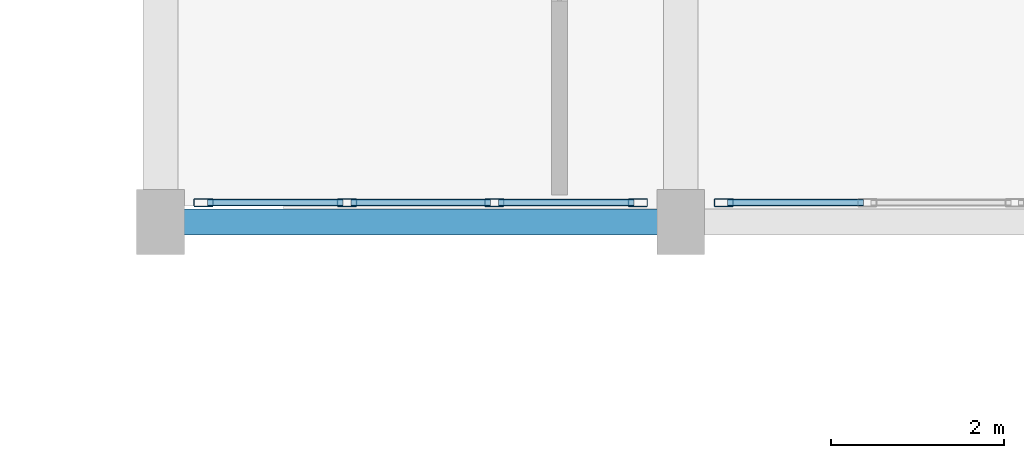
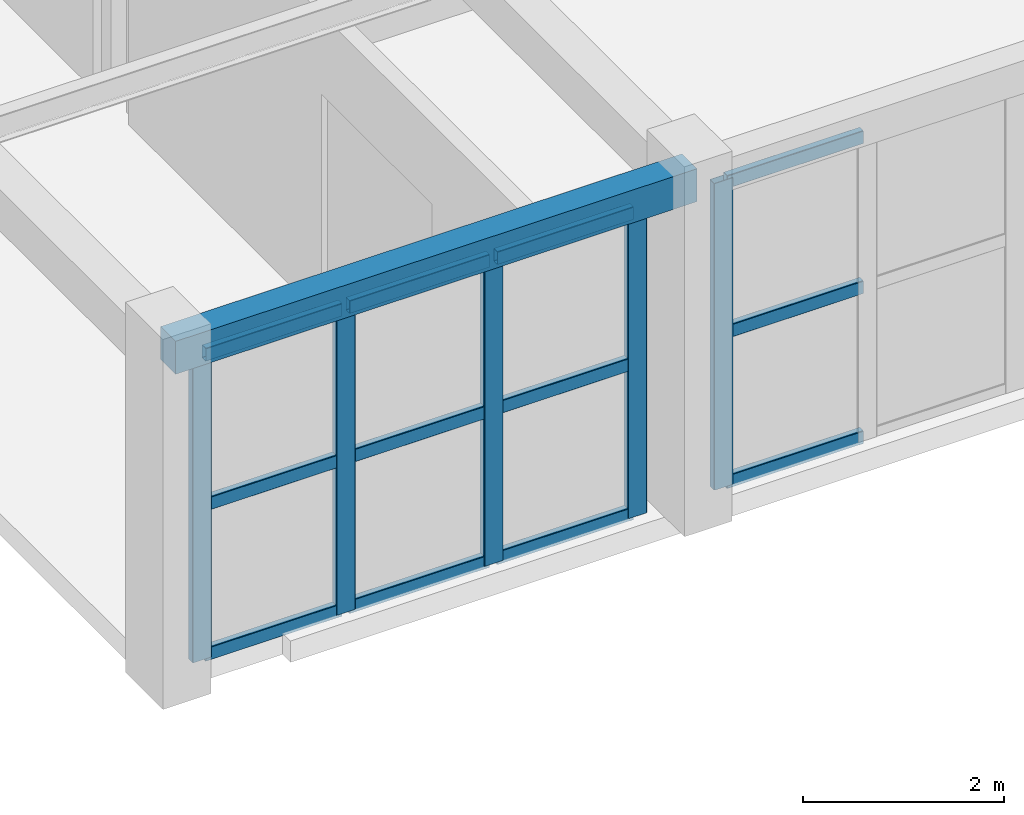
# One storey, part 26 of 91: 17 members, 1 beam, 2 elements without a shape of their own.
"""IFC4 building model written with IfcOpenShell, lengths in metres."""

from ifc_helpers import new_model, si_unit, direction, frame, origin, origin_2d, place, context, subcontext, project, spatial, rectangle, hollow_rectangle, extrude, material, layer, layer_set, material_profile, profile_set, type_object, element, aggregate, save


model = new_model("IFC4")

# Units and contexts
model_context = context("Model", 3, precision=1e-05, world=origin(), true_north=direction((0.0, 1.0)))
body_context = subcontext(model_context, "Body", "Model", "MODEL_VIEW")
ifc_project = project(units=[si_unit("LENGTHUNIT", "METRE"), si_unit("AREAUNIT", "SQUARE_METRE"), si_unit("VOLUMEUNIT", "CUBIC_METRE"), si_unit("PLANEANGLEUNIT", "RADIAN"), si_unit("MASSUNIT", "GRAM", prefix="KILO")], contexts=[model_context])

# Site, building, storey
site_placement = place(None, origin())
site = spatial("IfcSite", under=ifc_project, at=site_placement, CompositionType="ELEMENT")
building_placement = place(site_placement, origin())
building = spatial("IfcBuilding", under=site, at=building_placement, Name="Tarnavel Promenade Courthouse", CompositionType="ELEMENT")
storey_placement = place(building_placement, frame((0.0, 0.0, 9.89990234375)))
storey = spatial("IfcBuildingStorey", under=building, at=storey_placement, Name="L03", CompositionType="ELEMENT", Elevation=9.89990234375)

# Beam
ifc_material_1 = material(Name="Concrete C40/50", Category="concrete")
ifc_material_profile_1 = material_profile(ifc_material_1, rectangle(XDim=0.300048828125, YDim=0.39990234375, at=origin_2d()), Name="RC 300x400")
ifc_profile_set_1 = profile_set([ifc_material_profile_1], Name="Concrete C40/50")
beam_type = type_object("IfcBeamType", Name="Concrete C40/50 BM-SP-300x400 (RC 300x400)", PredefinedType="SPANDREL", material=ifc_profile_set_1)
beam_placement = place(storey_placement, frame((120.0, 28.800048828125, 4.045166015625), z_axis=(1.0, 0.0, 0.0), x_axis=(0.0, 1.0, 0.0)))
element("IfcBeam", 1, at=beam_placement, inside=storey, type_object=beam_type, Name="L03 Primary Longitudinal Beam 1542", PredefinedType="SPANDREL", context=body_context, shape_type="SweptSolid", body=[
    extrude(rectangle(XDim=0.300048828125, YDim=0.39990234375, at=origin_2d()), origin(), (0.0, 0.0, 1.0), 6.0),
])

# Curtain wall, members
ifc_material_2 = material(Name="Thermally Broken Anodised Aluminium Curtain Wall System", Category="aluminium")
ifc_layer = layer(ifc_material_2, 0.199951171875)
ifc_layer_set = layer_set([ifc_layer], Name="Thermally Broken Anodised Aluminium Curtain Wall System")
curtain_wall_type = type_object("IfcCurtainWallType", Name="Thermally Broken Aluminium Triple-Glazed Curtain Wall CW-FOYER", PredefinedType="NOTDEFINED", material=ifc_layer_set)
curtain_wall_1_placement = place(storey_placement, origin())
curtain_wall_1 = element("IfcCurtainWall", 2, at=curtain_wall_1_placement, inside=storey, type_object=curtain_wall_type, Name="L03 Ceremonial Cloister Curtain Wall 177", PredefinedType="NOTDEFINED")
ifc_material_3 = material(Name="Thermally Broken Anodised Aluminium Frame", Category="aluminium")
ifc_material_profile_2 = material_profile(ifc_material_3, hollow_rectangle(XDim=0.090087890625, YDim=0.219970703125, WallThickness=0.0048828125, InnerFilletRadius=0.0048828125, OuterFilletRadius=0.010009765625, at=origin_2d()), Name="CWM 220x90x5")
ifc_profile_set_2 = profile_set([ifc_material_profile_2], Name="Thermally Broken Anodised Aluminium Frame")
member_type_1 = type_object("IfcMemberType", Name="Thermally Broken Anodised Aluminium CWM-175 (CWM 220x90x5)", PredefinedType="MULLION", material=ifc_profile_set_2)
member_1_placement = place(storey_placement, frame((120.4951171875, 29.02001953125, 0.0), z_axis=(0.0, 0.0, 1.0), x_axis=(0.0, 1.0, 0.0)))
member_1 = element("IfcMember", 3, at=member_1_placement, type_object=member_type_1, Name="CW-04 mullion 1", PredefinedType="MULLION", context=body_context, shape_type="SweptSolid", body=[
    extrude(hollow_rectangle(XDim=0.090087890625, YDim=0.219970703125, WallThickness=0.0048828125, InnerFilletRadius=0.0048828125, OuterFilletRadius=0.010009765625, at=origin_2d()), origin(), (0.0, 0.0, 1.0), 3.72998046875),
])
member_2_placement = place(storey_placement, frame((122.14990234375, 29.02001953125, 0.0), z_axis=(0.0, 0.0, 1.0), x_axis=(0.0, 1.0, 0.0)))
member_2 = element("IfcMember", 4, at=member_2_placement, type_object=member_type_1, Name="CW-04 mullion 2", PredefinedType="MULLION", context=body_context, shape_type="SweptSolid", body=[
    extrude(hollow_rectangle(XDim=0.090087890625, YDim=0.219970703125, WallThickness=0.0048828125, InnerFilletRadius=0.0048828125, OuterFilletRadius=0.010009765625, at=origin_2d()), origin(), (0.0, 0.0, 1.0), 3.72998046875),
])
member_3_placement = place(storey_placement, frame((123.85009765625, 29.02001953125, 0.0), z_axis=(0.0, 0.0, 1.0), x_axis=(0.0, 1.0, 0.0)))
member_3 = element("IfcMember", 5, at=member_3_placement, type_object=member_type_1, Name="CW-04 mullion 3", PredefinedType="MULLION", context=body_context, shape_type="SweptSolid", body=[
    extrude(hollow_rectangle(XDim=0.090087890625, YDim=0.219970703125, WallThickness=0.0048828125, InnerFilletRadius=0.0048828125, OuterFilletRadius=0.010009765625, at=origin_2d()), origin(), (0.0, 0.0, 1.0), 3.72998046875),
])
member_4_placement = place(storey_placement, frame((125.5048828125, 29.02001953125, 0.0), z_axis=(0.0, 0.0, 1.0), x_axis=(0.0, 1.0, 0.0)))
member_4 = element("IfcMember", 6, at=member_4_placement, type_object=member_type_1, Name="CW-04 mullion 4", PredefinedType="MULLION", context=body_context, shape_type="SweptSolid", body=[
    extrude(hollow_rectangle(XDim=0.090087890625, YDim=0.219970703125, WallThickness=0.0048828125, InnerFilletRadius=0.0048828125, OuterFilletRadius=0.010009765625, at=origin_2d()), origin(), (0.0, 0.0, 1.0), 3.72998046875),
])

# Curtain wall, member
curtain_wall_2_placement = place(storey_placement, origin())
curtain_wall_2 = element("IfcCurtainWall", 7, at=curtain_wall_2_placement, inside=storey, type_object=curtain_wall_type, Name="L03 Ceremonial Cloister Curtain Wall 178", PredefinedType="NOTDEFINED")
member_5_placement = place(storey_placement, frame((126.4951171875, 29.02001953125, 0.0), z_axis=(0.0, 0.0, 1.0), x_axis=(0.0, 1.0, 0.0)))
member_5 = element("IfcMember", 8, at=member_5_placement, type_object=member_type_1, Name="CW-04 mullion 1", PredefinedType="MULLION", context=body_context, shape_type="SweptSolid", body=[
    extrude(hollow_rectangle(XDim=0.090087890625, YDim=0.219970703125, WallThickness=0.0048828125, InnerFilletRadius=0.0048828125, OuterFilletRadius=0.010009765625, at=origin_2d()), origin(), (0.0, 0.0, 1.0), 3.72998046875),
])

# Member
ifc_material_profile_3 = material_profile(ifc_material_3, hollow_rectangle(XDim=0.080078125, YDim=0.159912109375, WallThickness=0.0048828125, InnerFilletRadius=0.0048828125, OuterFilletRadius=0.010009765625, at=origin_2d()), Name="CWT 160x80x5")
ifc_profile_set_3 = profile_set([ifc_material_profile_3], Name="Thermally Broken Anodised Aluminium Frame")
member_type_2 = type_object("IfcMemberType", Name="Thermally Broken Anodised Aluminium CWT-145 (CWT 160x80x5)", PredefinedType="USERDEFINED", material=ifc_profile_set_3)
member_6_placement = place(storey_placement, frame((120.5400390625, 29.02001953125, 0.0400390625), z_axis=(1.0, 0.0, 0.0), x_axis=(0.0, 1.0, 0.0)))
member_6 = element("IfcMember", 9, at=member_6_placement, type_object=member_type_2, Name="CW-04 transom 1.1", ObjectType="TRANSOM", PredefinedType="USERDEFINED", context=body_context, shape_type="SweptSolid", body=[
    extrude(hollow_rectangle(XDim=0.080078125, YDim=0.159912109375, WallThickness=0.0048828125, InnerFilletRadius=0.0048828125, OuterFilletRadius=0.010009765625, at=origin_2d()), origin(), (0.0, 0.0, 1.0), 1.56494140625),
])

member_7_placement = place(storey_placement, frame((120.5400390625, 29.02001953125, 1.864990234375), z_axis=(1.0, 0.0, 0.0), x_axis=(0.0, 1.0, 0.0)))
member_7 = element("IfcMember", 10, at=member_7_placement, type_object=member_type_2, Name="CW-04 transom 1.2", ObjectType="TRANSOM", PredefinedType="USERDEFINED", context=body_context, shape_type="SweptSolid", body=[
    extrude(hollow_rectangle(XDim=0.080078125, YDim=0.159912109375, WallThickness=0.0048828125, InnerFilletRadius=0.0048828125, OuterFilletRadius=0.010009765625, at=origin_2d()), origin(), (0.0, 0.0, 1.0), 1.56494140625),
])

member_8_placement = place(storey_placement, frame((120.5400390625, 29.02001953125, 3.690185546875), z_axis=(1.0, 0.0, 0.0), x_axis=(0.0, 1.0, 0.0)))
member_8 = element("IfcMember", 11, at=member_8_placement, type_object=member_type_2, Name="CW-04 transom 1.3", ObjectType="TRANSOM", PredefinedType="USERDEFINED", context=body_context, shape_type="SweptSolid", body=[
    extrude(hollow_rectangle(XDim=0.080078125, YDim=0.159912109375, WallThickness=0.0048828125, InnerFilletRadius=0.0048828125, OuterFilletRadius=0.010009765625, at=origin_2d()), origin(), (0.0, 0.0, 1.0), 1.56494140625),
])

member_9_placement = place(storey_placement, frame((122.195068359375, 29.02001953125, 0.0400390625), z_axis=(1.0, 0.0, 0.0), x_axis=(0.0, 1.0, 0.0)))
member_9 = element("IfcMember", 12, at=member_9_placement, type_object=member_type_2, Name="CW-04 transom 2.1", ObjectType="TRANSOM", PredefinedType="USERDEFINED", context=body_context, shape_type="SweptSolid", body=[
    extrude(hollow_rectangle(XDim=0.080078125, YDim=0.159912109375, WallThickness=0.0048828125, InnerFilletRadius=0.0048828125, OuterFilletRadius=0.010009765625, at=origin_2d()), origin(), (0.0, 0.0, 1.0), 1.60986328125),
])

member_10_placement = place(storey_placement, frame((122.195068359375, 29.02001953125, 1.864990234375), z_axis=(1.0, 0.0, 0.0), x_axis=(0.0, 1.0, 0.0)))
member_10 = element("IfcMember", 13, at=member_10_placement, type_object=member_type_2, Name="CW-04 transom 2.2", ObjectType="TRANSOM", PredefinedType="USERDEFINED", context=body_context, shape_type="SweptSolid", body=[
    extrude(hollow_rectangle(XDim=0.080078125, YDim=0.159912109375, WallThickness=0.0048828125, InnerFilletRadius=0.0048828125, OuterFilletRadius=0.010009765625, at=origin_2d()), origin(), (0.0, 0.0, 1.0), 1.60986328125),
])

member_11_placement = place(storey_placement, frame((122.195068359375, 29.02001953125, 3.690185546875), z_axis=(1.0, 0.0, 0.0), x_axis=(0.0, 1.0, 0.0)))
member_11 = element("IfcMember", 14, at=member_11_placement, type_object=member_type_2, Name="CW-04 transom 2.3", ObjectType="TRANSOM", PredefinedType="USERDEFINED", context=body_context, shape_type="SweptSolid", body=[
    extrude(hollow_rectangle(XDim=0.080078125, YDim=0.159912109375, WallThickness=0.0048828125, InnerFilletRadius=0.0048828125, OuterFilletRadius=0.010009765625, at=origin_2d()), origin(), (0.0, 0.0, 1.0), 1.60986328125),
])

member_12_placement = place(storey_placement, frame((123.89501953125, 29.02001953125, 0.0400390625), z_axis=(1.0, 0.0, 0.0), x_axis=(0.0, 1.0, 0.0)))
member_12 = element("IfcMember", 15, at=member_12_placement, type_object=member_type_2, Name="CW-04 transom 3.1", ObjectType="TRANSOM", PredefinedType="USERDEFINED", context=body_context, shape_type="SweptSolid", body=[
    extrude(hollow_rectangle(XDim=0.080078125, YDim=0.159912109375, WallThickness=0.0048828125, InnerFilletRadius=0.0048828125, OuterFilletRadius=0.010009765625, at=origin_2d()), origin(), (0.0, 0.0, 1.0), 1.56494140625),
])

member_13_placement = place(storey_placement, frame((123.89501953125, 29.02001953125, 1.864990234375), z_axis=(1.0, 0.0, 0.0), x_axis=(0.0, 1.0, 0.0)))
member_13 = element("IfcMember", 16, at=member_13_placement, type_object=member_type_2, Name="CW-04 transom 3.2", ObjectType="TRANSOM", PredefinedType="USERDEFINED", context=body_context, shape_type="SweptSolid", body=[
    extrude(hollow_rectangle(XDim=0.080078125, YDim=0.159912109375, WallThickness=0.0048828125, InnerFilletRadius=0.0048828125, OuterFilletRadius=0.010009765625, at=origin_2d()), origin(), (0.0, 0.0, 1.0), 1.56494140625),
])

member_14_placement = place(storey_placement, frame((123.89501953125, 29.02001953125, 3.690185546875), z_axis=(1.0, 0.0, 0.0), x_axis=(0.0, 1.0, 0.0)))
member_14 = element("IfcMember", 17, at=member_14_placement, type_object=member_type_2, Name="CW-04 transom 3.3", ObjectType="TRANSOM", PredefinedType="USERDEFINED", context=body_context, shape_type="SweptSolid", body=[
    extrude(hollow_rectangle(XDim=0.080078125, YDim=0.159912109375, WallThickness=0.0048828125, InnerFilletRadius=0.0048828125, OuterFilletRadius=0.010009765625, at=origin_2d()), origin(), (0.0, 0.0, 1.0), 1.56494140625),
])

aggregate(curtain_wall_1, [member_1, member_2, member_3, member_4, member_6, member_7, member_8, member_9, member_10, member_11, member_12, member_13, member_14])

member_15_placement = place(storey_placement, frame((126.5400390625, 29.02001953125, 0.0400390625), z_axis=(1.0, 0.0, 0.0), x_axis=(0.0, 1.0, 0.0)))
member_15 = element("IfcMember", 18, at=member_15_placement, type_object=member_type_2, Name="CW-04 transom 1.1", ObjectType="TRANSOM", PredefinedType="USERDEFINED", context=body_context, shape_type="SweptSolid", body=[
    extrude(hollow_rectangle(XDim=0.080078125, YDim=0.159912109375, WallThickness=0.0048828125, InnerFilletRadius=0.0048828125, OuterFilletRadius=0.010009765625, at=origin_2d()), origin(), (0.0, 0.0, 1.0), 1.56494140625),
])

member_16_placement = place(storey_placement, frame((126.5400390625, 29.02001953125, 1.864990234375), z_axis=(1.0, 0.0, 0.0), x_axis=(0.0, 1.0, 0.0)))
member_16 = element("IfcMember", 19, at=member_16_placement, type_object=member_type_2, Name="CW-04 transom 1.2", ObjectType="TRANSOM", PredefinedType="USERDEFINED", context=body_context, shape_type="SweptSolid", body=[
    extrude(hollow_rectangle(XDim=0.080078125, YDim=0.159912109375, WallThickness=0.0048828125, InnerFilletRadius=0.0048828125, OuterFilletRadius=0.010009765625, at=origin_2d()), origin(), (0.0, 0.0, 1.0), 1.56494140625),
])

member_17_placement = place(storey_placement, frame((126.5400390625, 29.02001953125, 3.690185546875), z_axis=(1.0, 0.0, 0.0), x_axis=(0.0, 1.0, 0.0)))
member_17 = element("IfcMember", 20, at=member_17_placement, type_object=member_type_2, Name="CW-04 transom 1.3", ObjectType="TRANSOM", PredefinedType="USERDEFINED", context=body_context, shape_type="SweptSolid", body=[
    extrude(hollow_rectangle(XDim=0.080078125, YDim=0.159912109375, WallThickness=0.0048828125, InnerFilletRadius=0.0048828125, OuterFilletRadius=0.010009765625, at=origin_2d()), origin(), (0.0, 0.0, 1.0), 1.56494140625),
])

aggregate(curtain_wall_2, [member_5, member_15, member_16, member_17])

save(model, "model.ifc")
